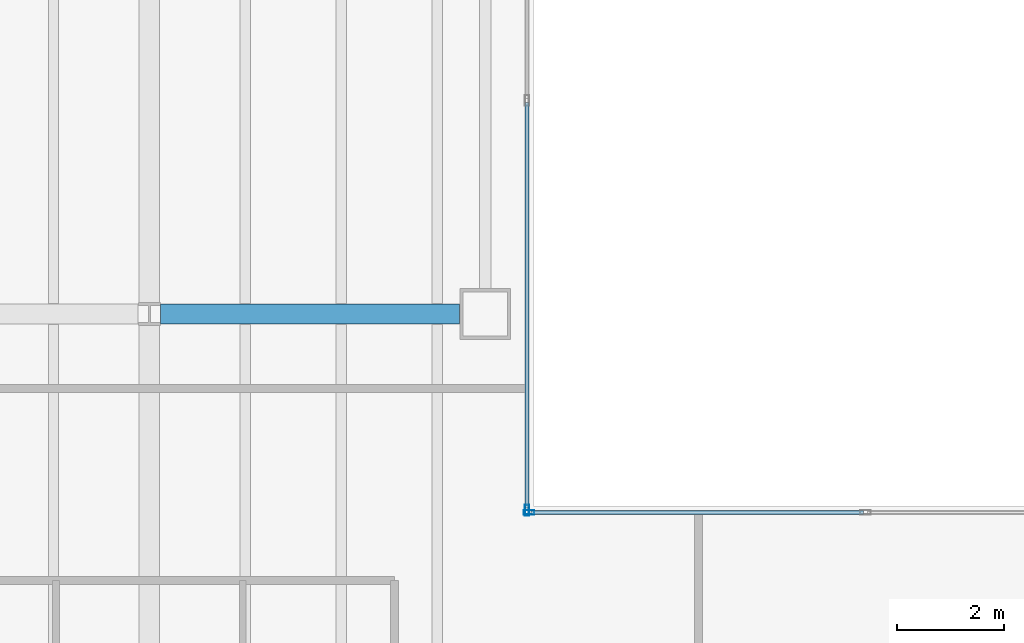
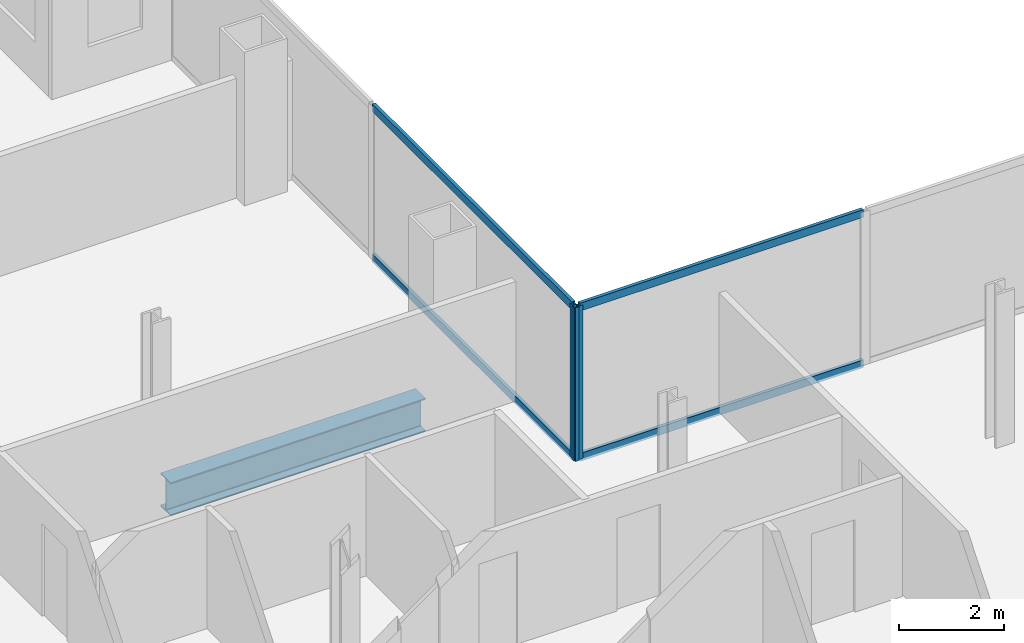
# One storey, part 6 of 23: 6 members, 1 beam, 2 elements without a shape of their own.
"""IFC4 building model written with IfcOpenShell, lengths in metres."""

from ifc_helpers import new_model, si_unit, direction, frame, origin, origin_2d, place, context, subcontext, project, spatial, hollow_rectangle, i_section, extrude, material, material_profile, profile_set, type_object, element, aggregate, save


model = new_model("IFC4")

# Units and contexts
model_context = context("Model", 3, precision=1e-05, world=origin(), true_north=direction((0.0, 1.0)))
body_context = subcontext(model_context, "Body", "Model", "MODEL_VIEW")
ifc_project = project(units=[si_unit("LENGTHUNIT", "METRE"), si_unit("AREAUNIT", "SQUARE_METRE"), si_unit("VOLUMEUNIT", "CUBIC_METRE"), si_unit("PLANEANGLEUNIT", "RADIAN"), si_unit("MASSUNIT", "GRAM", prefix="KILO")], contexts=[model_context])

# Site, building, storey
site_placement = place(None, origin())
site = spatial("IfcSite", under=ifc_project, at=site_placement, CompositionType="ELEMENT")
building_placement = place(site_placement, origin())
building = spatial("IfcBuilding", under=site, at=building_placement, Name="Cobrela Telecom Tower", CompositionType="ELEMENT")
storey_placement = place(building_placement, frame((0.0, 0.0, 81.199951171875)))
storey = spatial("IfcBuildingStorey", under=building, at=storey_placement, Name="L20", CompositionType="ELEMENT", Elevation=81.199951171875)

# Beam
ifc_material_1 = material(Name="Steel ASTM A992 Grade 50", Category="steel")
ifc_material_profile_1 = material_profile(ifc_material_1, i_section(OverallWidth=0.381103515625, OverallDepth=0.77197265625, WebThickness=0.0166015625, FlangeThickness=0.027099609375, FilletRadius=0.01904296875, at=origin_2d()), Name="W30X173")
ifc_profile_set_1 = profile_set([ifc_material_profile_1], Name="Steel ASTM A992 Grade 50")
beam_type = type_object("IfcBeamType", Name="BM-GIRD-04", PredefinedType="USERDEFINED", material=ifc_profile_set_1)
beam_placement = place(storey_placement, frame((21.8095703125, 28.800048828125, -0.666015625), z_axis=(1.0, 0.0, 0.0), x_axis=(0.0, 1.0, 0.0)))
element("IfcBeam", 1, at=beam_placement, inside=storey, type_object=beam_type, Name="L20 Primary Girder X24", ObjectType="GIRDER", PredefinedType="USERDEFINED", context=body_context, shape_type="SweptSolid", body=[
    extrude(i_section(OverallWidth=0.381103515625, OverallDepth=0.77197265625, WebThickness=0.0166015625, FlangeThickness=0.027099609375, FilletRadius=0.01904296875, at=origin_2d()), origin(), (0.0, 0.0, 1.0), 5.6103515625),
])

# Curtain wall, member
ifc_material_2 = material(Name="Anodized Bronze Aluminium 6063-T6", Category="aluminium")
curtain_wall_type = type_object("IfcCurtainWallType", Name="CW-SYS-DATA", PredefinedType="USERDEFINED", material=ifc_material_2)
curtain_wall_1_placement = place(storey_placement, origin())
curtain_wall_1 = element("IfcCurtainWall", 2, at=curtain_wall_1_placement, inside=storey, type_object=curtain_wall_type, Name="L20 Unitised Bronze Curtain Wall 10", ObjectType="UNITISED CURTAIN WALL", PredefinedType="USERDEFINED")
ifc_material_profile_2 = material_profile(ifc_material_2, hollow_rectangle(XDim=0.080078125, YDim=0.199951171875, WallThickness=0.00390625, at=origin_2d()), Name="ALU 80x200x4")
ifc_profile_set_2 = profile_set([ifc_material_profile_2], Name="Anodized Bronze Aluminium 6063-T6")
member_type_1 = type_object("IfcMemberType", Name="CW-SYS-DATA-MUL", PredefinedType="MULLION", material=ifc_profile_set_2)
member_1_placement = place(storey_placement, frame((28.679931640625, 25.1201171875, 0.0), z_axis=(0.0, 0.0, 1.0), x_axis=(1.0, 0.0, 0.0)))
member_1 = element("IfcMember", 3, at=member_1_placement, type_object=member_type_1, Name="CW-DATA mullion 3", PredefinedType="MULLION", context=body_context, shape_type="SweptSolid", body=[
    extrude(hollow_rectangle(XDim=0.080078125, YDim=0.199951171875, WallThickness=0.00390625, at=origin_2d()), origin(), (0.0, 0.0, 1.0), 3.570068359375),
])

curtain_wall_2_placement = place(storey_placement, origin())
curtain_wall_2 = element("IfcCurtainWall", 4, at=curtain_wall_2_placement, inside=storey, type_object=curtain_wall_type, Name="L20 Unitised Bronze Curtain Wall 11", ObjectType="UNITISED CURTAIN WALL", PredefinedType="USERDEFINED")
member_2_placement = place(storey_placement, frame((28.719970703125, 25.080078125, 0.0), z_axis=(0.0, 0.0, 1.0), x_axis=(0.0, 1.0, 0.0)))
member_2 = element("IfcMember", 5, at=member_2_placement, type_object=member_type_1, Name="CW-DATA mullion 1", PredefinedType="MULLION", context=body_context, shape_type="SweptSolid", body=[
    extrude(hollow_rectangle(XDim=0.080078125, YDim=0.199951171875, WallThickness=0.00390625, at=origin_2d()), origin(), (0.0, 0.0, 1.0), 3.570068359375),
])

# Member
ifc_material_profile_3 = material_profile(ifc_material_2, hollow_rectangle(XDim=0.074951171875, YDim=0.179931640625, WallThickness=0.00390625, at=origin_2d()), Name="ALU 75x180x4")
ifc_profile_set_3 = profile_set([ifc_material_profile_3], Name="Anodized Bronze Aluminium 6063-T6")
member_type_2 = type_object("IfcMemberType", Name="CW-SYS-DATA-TRN", PredefinedType="USERDEFINED", material=ifc_profile_set_3)
member_3_placement = place(storey_placement, frame((28.679931640625, 32.764892578125, 0.03759765625), z_axis=(0.0, -1.0, 0.0), x_axis=(1.0, 0.0, 0.0)))
member_3 = element("IfcMember", 6, at=member_3_placement, type_object=member_type_2, Name="CW-DATA transom 2.1", ObjectType="TRANSOM", PredefinedType="USERDEFINED", context=body_context, shape_type="SweptSolid", body=[
    extrude(hollow_rectangle(XDim=0.074951171875, YDim=0.179931640625, WallThickness=0.00390625, at=origin_2d()), origin(), (0.0, 0.0, 1.0), 7.60498046875),
])

member_4_placement = place(storey_placement, frame((28.679931640625, 32.764892578125, 3.532470703125), z_axis=(0.0, -1.0, 0.0), x_axis=(1.0, 0.0, 0.0)))
member_4 = element("IfcMember", 7, at=member_4_placement, type_object=member_type_2, Name="CW-DATA transom 2.2", ObjectType="TRANSOM", PredefinedType="USERDEFINED", context=body_context, shape_type="SweptSolid", body=[
    extrude(hollow_rectangle(XDim=0.074951171875, YDim=0.179931640625, WallThickness=0.00390625, at=origin_2d()), origin(), (0.0, 0.0, 1.0), 7.60498046875),
])

aggregate(curtain_wall_1, [member_1, member_3, member_4])

member_5_placement = place(storey_placement, frame((28.760009765625, 25.080078125, 0.03759765625), z_axis=(1.0, 0.0, 0.0), x_axis=(0.0, 1.0, 0.0)))
member_5 = element("IfcMember", 8, at=member_5_placement, type_object=member_type_2, Name="CW-DATA transom 1.1", ObjectType="TRANSOM", PredefinedType="USERDEFINED", context=body_context, shape_type="SweptSolid", body=[
    extrude(hollow_rectangle(XDim=0.074951171875, YDim=0.179931640625, WallThickness=0.00390625, at=origin_2d()), origin(), (0.0, 0.0, 1.0), 6.22998046875),
])

member_6_placement = place(storey_placement, frame((28.760009765625, 25.080078125, 3.532470703125), z_axis=(1.0, 0.0, 0.0), x_axis=(0.0, 1.0, 0.0)))
member_6 = element("IfcMember", 9, at=member_6_placement, type_object=member_type_2, Name="CW-DATA transom 1.2", ObjectType="TRANSOM", PredefinedType="USERDEFINED", context=body_context, shape_type="SweptSolid", body=[
    extrude(hollow_rectangle(XDim=0.074951171875, YDim=0.179931640625, WallThickness=0.00390625, at=origin_2d()), origin(), (0.0, 0.0, 1.0), 6.22998046875),
])

aggregate(curtain_wall_2, [member_2, member_5, member_6])

save(model, "model.ifc")
